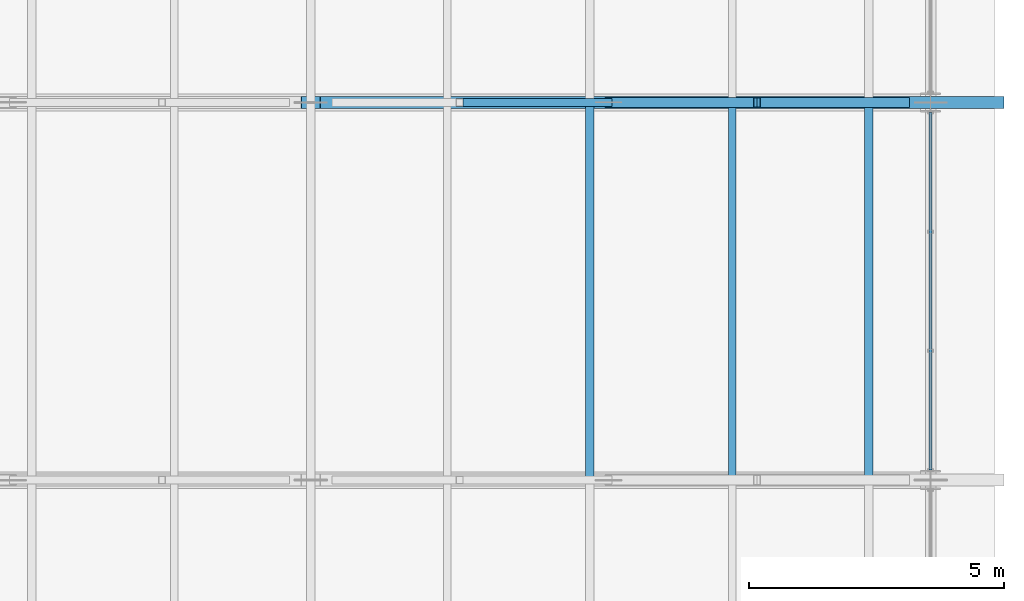
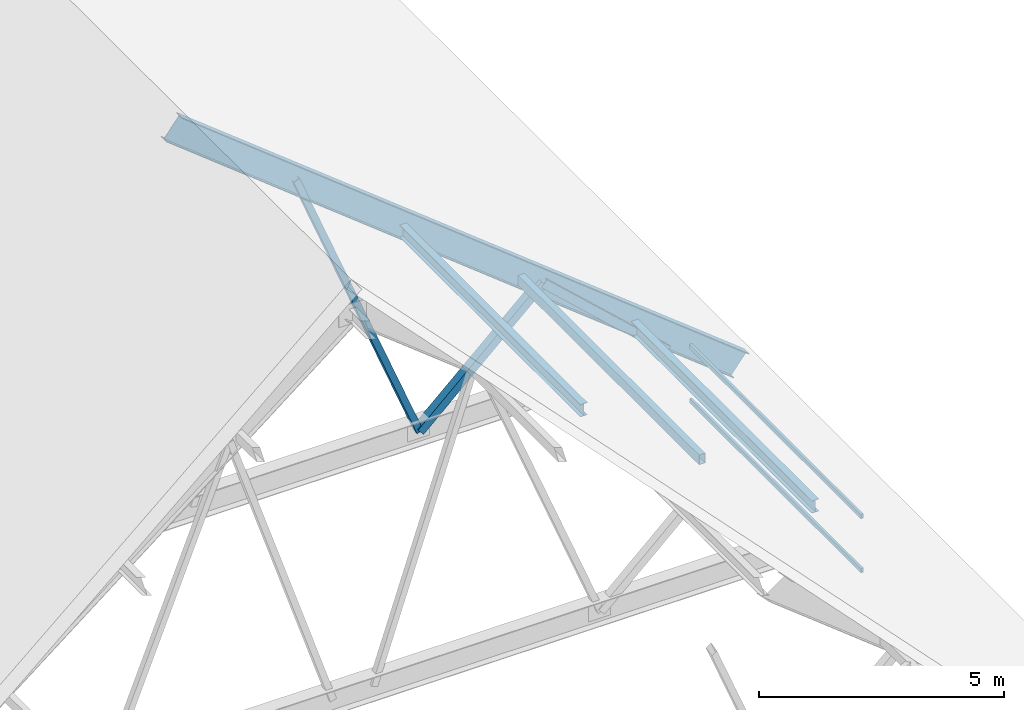
# One storey, part 30 of 44: 8 members, 1 beam, 1 element without a shape of its own.
"""IFC4 building model written with IfcOpenShell, lengths in metres."""

from ifc_helpers import new_model, si_unit, direction, frame, origin, origin_2d, place, context, subcontext, project, spatial, hollow_rectangle, i_section, extrude, material, material_profile, profile_set, type_object, element, aggregate, save


model = new_model("IFC4")

# Units and contexts
model_context = context("Model", 3, precision=1e-05, world=origin(), true_north=direction((0.0, 1.0)))
body_context = subcontext(model_context, "Body", "Model", "MODEL_VIEW")
ifc_project = project(units=[si_unit("LENGTHUNIT", "METRE"), si_unit("AREAUNIT", "SQUARE_METRE"), si_unit("VOLUMEUNIT", "CUBIC_METRE"), si_unit("PLANEANGLEUNIT", "RADIAN"), si_unit("MASSUNIT", "GRAM", prefix="KILO")], contexts=[model_context])

# Site, building, storey
site_placement = place(None, origin())
site = spatial("IfcSite", under=ifc_project, at=site_placement, CompositionType="ELEMENT")
building_placement = place(site_placement, origin())
building = spatial("IfcBuilding", under=site, at=building_placement, Name="Cimatlan Art Gallery", CompositionType="ELEMENT")
storey_placement = place(building_placement, frame((0.0, 0.0, 26.39990234375)))
storey = spatial("IfcBuildingStorey", under=building, at=storey_placement, Name="Roof", CompositionType="ELEMENT", Elevation=26.39990234375)

# Beam
ifc_material_1 = material(Name="Steel ASTM A992 Grade 50", Category="steel")
ifc_material_profile_1 = material_profile(ifc_material_1, i_section(OverallWidth=0.22802734375, OverallDepth=0.60791015625, WebThickness=0.01123046875, FlangeThickness=0.017333984375, at=origin_2d()), Name="W24X76")
ifc_profile_set_1 = profile_set([ifc_material_profile_1], Name="Steel ASTM A992 Grade 50")
beam_type = type_object("IfcBeamType", Name="BM-TRS-RAF", PredefinedType="BEAM", material=ifc_profile_set_1)
beam_placement = place(storey_placement, frame((87.050048828125, 68.300048828125, 11.0), z_axis=(0.784632771217, 0.0, -0.619960816772), x_axis=(0.0, 1.0, 0.0)))
element("IfcBeam", 1, at=beam_placement, inside=storey, type_object=beam_type, Name="TRS-07-RAF-E", PredefinedType="BEAM", context=body_context, shape_type="SweptSolid", body=[
    extrude(i_section(OverallWidth=0.22802734375, OverallDepth=0.60791015625, WebThickness=0.01123046875, FlangeThickness=0.017333984375, at=origin_2d()), origin(), (0.0, 0.0, 1.0), 17.077880859375),
])

# Curtain wall, members
ifc_material_2 = material(Name="Anodised bronze unitised curtain wall")
curtain_wall_type = type_object("IfcCurtainWallType", Name="CW-V-07010X01450-B3", PredefinedType="NOTDEFINED", material=ifc_material_2)
curtain_wall_placement = place(storey_placement, origin())
curtain_wall = element("IfcCurtainWall", 2, at=curtain_wall_placement, inside=storey, type_object=curtain_wall_type, Name="CW-CRW-E-08", PredefinedType="NOTDEFINED")
ifc_material_3 = material(Name="Anodised bronze aluminium 6063-T6", Category="aluminium")
ifc_material_profile_2 = material_profile(ifc_material_3, hollow_rectangle(XDim=0.06005859375, YDim=0.110107421875, WallThickness=0.00341796875, at=origin_2d()), Name="ALU60X110X3")
ifc_profile_set_2 = profile_set([ifc_material_profile_2], Name="Anodised bronze aluminium 6063-T6")
member_type_1 = type_object("IfcMemberType", Name="CW-TRN-110", PredefinedType="USERDEFINED", material=ifc_profile_set_2)
member_1_placement = place(storey_placement, frame((99.199951171875, 68.10498046875, 0.050048828125), z_axis=(0.0, -1.0, 0.0), x_axis=(1.0, 0.0, 0.0)))
member_1 = element("IfcMember", 3, at=member_1_placement, type_object=member_type_1, Name="CW-CRW-E-08-T1", ObjectType="TRANSOM", PredefinedType="USERDEFINED", context=body_context, shape_type="SweptSolid", body=[
    extrude(hollow_rectangle(XDim=0.06005859375, YDim=0.110107421875, WallThickness=0.00341796875, at=origin_2d()), origin(), (0.0, 0.0, 1.0), 7.010009765625),
])
member_2_placement = place(storey_placement, frame((99.199951171875, 68.10498046875, 1.400146484375), z_axis=(0.0, -1.0, 0.0), x_axis=(1.0, 0.0, 0.0)))
member_2 = element("IfcMember", 4, at=member_2_placement, type_object=member_type_1, Name="CW-CRW-E-08-T2", ObjectType="TRANSOM", PredefinedType="USERDEFINED", context=body_context, shape_type="SweptSolid", body=[
    extrude(hollow_rectangle(XDim=0.06005859375, YDim=0.110107421875, WallThickness=0.00341796875, at=origin_2d()), origin(), (0.0, 0.0, 1.0), 7.010009765625),
])
aggregate(curtain_wall, [member_1, member_2])

# Members
ifc_material_4 = material(Name="Steel ASTM A500 Grade C", Category="steel")
ifc_material_profile_3 = material_profile(ifc_material_4, hollow_rectangle(XDim=0.14990234375, YDim=0.25, WallThickness=0.010009765625, at=origin_2d()), Name="HSS250X150X10")
ifc_profile_set_3 = profile_set([ifc_material_profile_3], Name="Steel ASTM A500 Grade C")
member_type_2 = type_object("IfcMemberType", Name="MBR-PUR-C250", PredefinedType="PURLIN", material=ifc_profile_set_3)
member_3_placement = place(storey_placement, frame((95.31201171875, 60.89990234375, 4.31201171875), z_axis=(0.0, 1.0, 0.0), x_axis=(-1.0, 0.0, 0.0)))
element("IfcMember", 5, at=member_3_placement, inside=storey, type_object=member_type_2, Name="PUR-V1-B6-E3", PredefinedType="PURLIN", context=body_context, shape_type="SweptSolid", body=[
    extrude(hollow_rectangle(XDim=0.14990234375, YDim=0.25, WallThickness=0.010009765625, at=origin_2d()), origin(), (0.0, 0.0, 1.0), 7.400146484375),
])
ifc_material_profile_4 = material_profile(ifc_material_1, i_section(OverallWidth=0.1650390625, OverallDepth=0.31005859375, WebThickness=0.005859375, FlangeThickness=0.009765625, at=origin_2d()), Name="W12X26")
ifc_profile_set_4 = profile_set([ifc_material_profile_4], Name="Steel ASTM A992 Grade 50")
member_type_3 = type_object("IfcMemberType", Name="MBR-PUR-W12", PredefinedType="PURLIN", material=ifc_profile_set_4)
for number, where, z_axis, x_axis, name in (
    (6, (92.517578125, 60.89990234375, 6.52001953125), (0.0, 1.0, 0.0), (-1.0, 0.0, 0.0), "PUR-V1-B6-E2"),
    (7, (97.985107421875, 60.89990234375, 2.2001953125), (0.0, 1.0, 0.0), (-1.0, 0.0, 0.0), "PUR-V1-B6-E4"),
):
    element("IfcMember", number, at=place(storey_placement, frame(where, z_axis=z_axis, x_axis=x_axis)), inside=storey, type_object=member_type_3, Name=name, PredefinedType="PURLIN", context=body_context, shape_type="SweptSolid", body=[
        extrude(i_section(OverallWidth=0.1650390625, OverallDepth=0.31005859375, WebThickness=0.005859375, FlangeThickness=0.009765625, at=origin_2d()), origin(), (0.0, 0.0, 1.0), 7.400146484375),
    ])
ifc_material_profile_5 = material_profile(ifc_material_4, hollow_rectangle(XDim=0.199951171875, YDim=0.199951171875, WallThickness=0.010009765625, at=origin_2d()), Name="HSS200X200X10")
ifc_profile_set_5 = profile_set([ifc_material_profile_5], Name="Steel ASTM A500 Grade C")
member_type_4 = type_object("IfcMemberType", Name="MBR-TRS-DIAG-1", PredefinedType="BRACE", material=ifc_profile_set_5)
for number, where, z_axis, x_axis, name in (
    (8, (98.714111328125, 68.300048828125, 1.400146484375), (-0.735270574228, 0.0, 0.677773695768), (0.0, -1.0, 0.0), "TRS-07-DE-1"),
    (9, (95.798095703125, 68.300048828125, 4.088134765625), (-0.735270574228, 0.0, -0.677773695768), (0.0, -1.0, 0.0), "TRS-07-DE-2"),
):
    element("IfcMember", number, at=place(storey_placement, frame(where, z_axis=z_axis, x_axis=x_axis)), inside=storey, type_object=member_type_4, Name=name, PredefinedType="BRACE", context=body_context, shape_type="SweptSolid", body=[
        extrude(hollow_rectangle(XDim=0.199951171875, YDim=0.199951171875, WallThickness=0.010009765625, at=origin_2d()), origin(), (0.0, 0.0, 1.0), 3.9658203125),
    ])
ifc_material_profile_6 = material_profile(ifc_material_4, hollow_rectangle(XDim=0.14990234375, YDim=0.14990234375, WallThickness=0.008056640625, at=origin_2d()), Name="HSS150X150X8")
ifc_profile_set_6 = profile_set([ifc_material_profile_6], Name="Steel ASTM A500 Grade C")
member_type_5 = type_object("IfcMemberType", Name="MBR-TRS-DIAG-2", PredefinedType="BRACE", material=ifc_profile_set_6)
member_4_placement = place(storey_placement, frame((92.882080078125, 68.300048828125, 1.400146484375), z_axis=(-0.371133507913, 0.0, 0.928579516953), x_axis=(0.0, -1.0, 0.0)))
element("IfcMember", 10, at=member_4_placement, inside=storey, type_object=member_type_5, Name="TRS-07-DE-3", PredefinedType="BRACE", context=body_context, shape_type="SweptSolid", body=[
    extrude(hollow_rectangle(XDim=0.14990234375, YDim=0.14990234375, WallThickness=0.008056640625, at=origin_2d()), origin(), (0.0, 0.0, 1.0), 7.85693359375),
])

save(model, "model.ifc")
